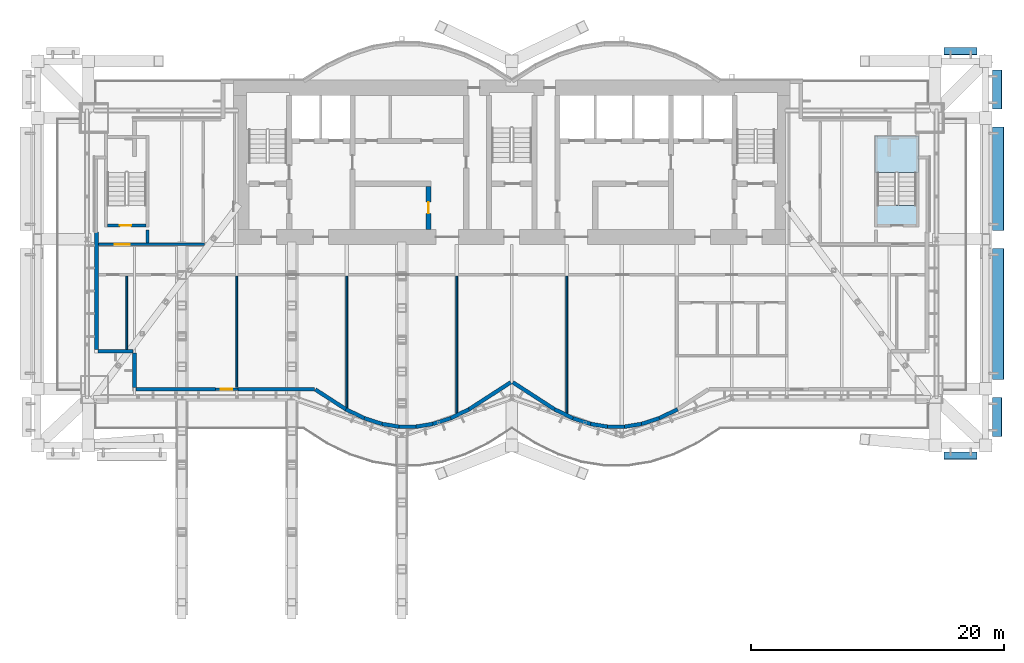
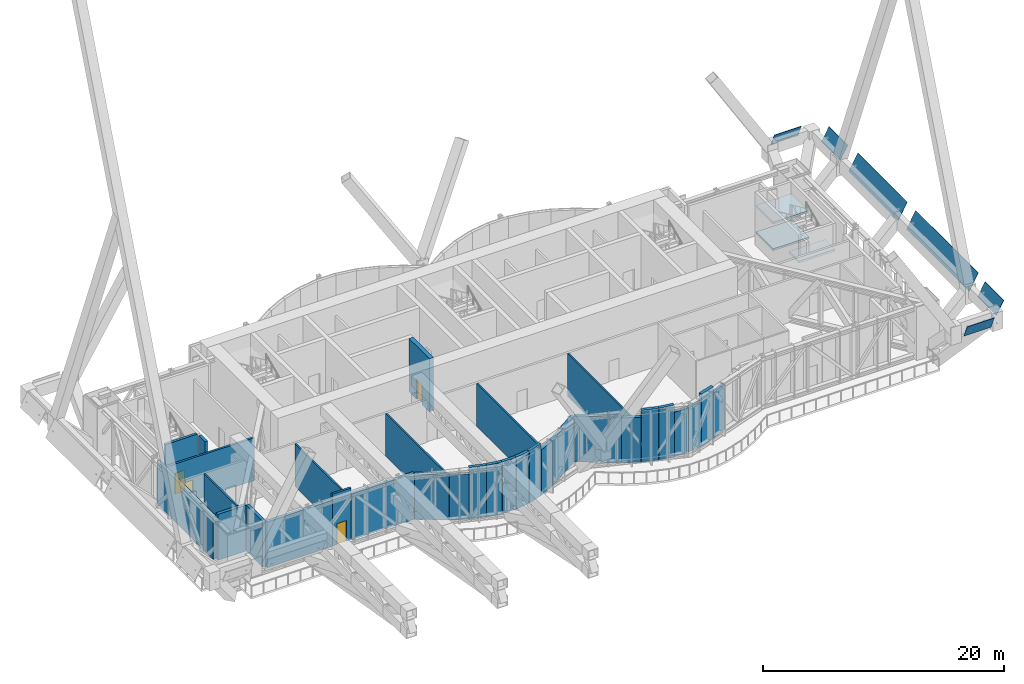
# One storey, part 23 of 30: 32 walls, 6 plates, 4 doors, 3 slabs, 4 openings, 1 element without a shape of its own.
"""IFC4 building model written with IfcOpenShell, lengths in metres."""

from ifc_helpers import new_model, si_unit, direction, frame, frame_2d, origin, place, context, subcontext, project, spatial, polyline, rectangle, outline, extrude, material, layer, layer_set, layer_usage, type_object, element, fill, aggregate, save


model = new_model("IFC4")

# Units and contexts
model_context = context("Model", 3, precision=1e-05, world=origin(), true_north=direction((0.0, 1.0)))
body_context = subcontext(model_context, "Body", "Model", "MODEL_VIEW")
ifc_project = project(units=[si_unit("LENGTHUNIT", "METRE"), si_unit("AREAUNIT", "SQUARE_METRE"), si_unit("VOLUMEUNIT", "CUBIC_METRE"), si_unit("PLANEANGLEUNIT", "RADIAN"), si_unit("MASSUNIT", "GRAM", prefix="KILO")], contexts=[model_context])

# Site, building, storey
site_placement = place(None, origin())
site = spatial("IfcSite", under=ifc_project, at=site_placement, CompositionType="ELEMENT")
building_placement = place(site_placement, origin())
building = spatial("IfcBuilding", under=site, at=building_placement, Name="Bicima Exchange Tower", CompositionType="ELEMENT")
storey_placement = place(building_placement, frame((0.0, 0.0, 287.60009765625)))
storey = spatial("IfcBuildingStorey", under=building, at=storey_placement, Name="L65", CompositionType="ELEMENT", Elevation=287.60009765625)

# Plates
ifc_material_1 = material(Name="Dark tinted spandrel glass", Category="glass")
ifc_layer_1 = layer(ifc_material_1, 0.0400390625)
ifc_layer_set_1 = layer_set([ifc_layer_1], Name="Dark tinted spandrel glass")
plate_type = type_object("IfcPlateType", Name="Belt fascia glass panel 40", PredefinedType="SHEET", material=ifc_layer_set_1)
plate_1_placement = place(storey_placement, frame((34.199951171875, -29.4306640625, 4.0498046875), z_axis=(0.0, 0.919715682457, 0.39258510344), x_axis=(1.0, 0.0, 0.0)))
element("IfcPlate", 1, at=plate_1_placement, inside=storey, type_object=plate_type, Name="Belt fascia glass panel", PredefinedType="SHEET", context=body_context, shape_type="SweptSolid", body=[
    extrude(outline(polyline([(0.0, 0.0), (2.60009765625, 0.0), (2.60009765625, -1.3917663048388182), (0.0, -1.3917663048388182), (0.0, 0.0)])), origin(), (0.0, 0.0, -1.0), 0.0400390625),
])
plate_2_placement = place(storey_placement, frame((38.030029296875, -28.20068359375, 4.0498046875), z_axis=(-0.876685030348, 0.0, 0.481064816386), x_axis=(0.0, 1.0, 0.0)))
element("IfcPlate", 2, at=plate_2_placement, inside=storey, type_object=plate_type, Name="Belt fascia glass panel", PredefinedType="SHEET", context=body_context, shape_type="SweptSolid", body=[
    extrude(outline(polyline([(0.0, 0.0), (3.10009765625, 0.0), (3.10009765625, -1.4600788796032191), (0.0, -1.4600788796032191), (0.0, 0.0)])), origin(), (0.0, 0.0, -1.0), 0.0400390625),
])
plate_3_placement = place(storey_placement, frame((38.030029296875, -23.70068359375, 3.75), z_axis=(-0.876618888201, 0.0, 0.481185333162), x_axis=(0.0, 1.0, 0.0)))
element("IfcPlate", 3, at=plate_3_placement, inside=storey, type_object=plate_type, Name="Belt fascia glass panel", PredefinedType="SHEET", context=body_context, shape_type="SweptSolid", body=[
    extrude(outline(polyline([(0.0, 0.0), (10.400634765625, 0.0), (10.400634765625, -1.8021902170255055), (0.0, -1.8021902170255055), (0.0, 0.0)])), origin(), (0.0, 0.0, -1.0), 0.0400390625),
])
plate_4_placement = place(storey_placement, frame((38.030029296875, -11.89990234375, 3.75), z_axis=(-0.876618888201, 0.0, 0.481185333162), x_axis=(0.0, 1.0, 0.0)))
element("IfcPlate", 4, at=plate_4_placement, inside=storey, type_object=plate_type, Name="Belt fascia glass panel", PredefinedType="SHEET", context=body_context, shape_type="SweptSolid", body=[
    extrude(outline(polyline([(0.0, 0.0), (8.199951171875, 0.0), (8.199951171875, -1.8021902170255055), (0.0, -1.8021902170255055), (0.0, 0.0)])), origin(), (0.0, 0.0, -1.0), 0.0400390625),
])
plate_5_placement = place(storey_placement, frame((38.030029296875, -2.300048828125, 4.0498046875), z_axis=(-0.876685030348, 0.0, 0.481064816386), x_axis=(0.0, 1.0, 0.0)))
element("IfcPlate", 5, at=plate_5_placement, inside=storey, type_object=plate_type, Name="Belt fascia glass panel", PredefinedType="SHEET", context=body_context, shape_type="SweptSolid", body=[
    extrude(outline(polyline([(0.0, 0.0), (3.10009765625, 0.0), (3.10009765625, -1.4600788796032191), (0.0, -1.4600788796032191), (0.0, 0.0)])), origin(), (0.0, 0.0, -1.0), 0.0400390625),
])
plate_6_placement = place(storey_placement, frame((36.800048828125, 2.576416015625, 4.0498046875), z_axis=(0.0, 0.919715682457, 0.39258510344), x_axis=(-1.0, 0.0, 0.0)))
element("IfcPlate", 6, at=plate_6_placement, inside=storey, type_object=plate_type, Name="Belt fascia glass panel", PredefinedType="SHEET", context=body_context, shape_type="SweptSolid", body=[
    extrude(outline(polyline([(0.0, 0.0), (2.60009765625, 0.0), (2.60009765625, 1.3917663048388182), (0.0, 1.3917663048388182), (0.0, 0.0)])), origin(), (0.0, 0.0, -1.0), 0.0400390625),
])

# Stair, slabs
ifc_material_2 = material(Name="Concrete C50/60", Category="concrete")
stair_type = type_object("IfcStairType", Name="Exit stair", PredefinedType="HALF_TURN_STAIR", material=ifc_material_2)
stair_placement = place(storey_placement, origin())
stair = element("IfcStair", 7, at=stair_placement, inside=storey, type_object=stair_type, Name="L65 East end exit stair", PredefinedType="HALF_TURN_STAIR")
ifc_layer_2 = layer(ifc_material_2, 0.199951171875)
ifc_layer_set_2 = layer_set([ifc_layer_2], Name="Concrete C50/60")
slab_type = type_object("IfcSlabType", Name="Stair landing slab", PredefinedType="LANDING", material=ifc_layer_set_2)
slab_1_placement = place(storey_placement, frame((0.0, 0.0, 1.14990234375)))
slab_1 = element("IfcSlab", 8, at=slab_1_placement, type_object=slab_type, Name="ST-EE landing 1", PredefinedType="LANDING", context=body_context, shape_type="SweptSolid", body=[
    extrude(outline(polyline([(32.175048828125, -7.294921875), (32.175048828125, -4.425048828125), (28.72509765625, -4.425048828125), (28.72509765625, -7.294921875), (32.175048828125, -7.294921875)])), origin(), (0.0, 0.0, 1.0), 0.199951171875),
])
slab_2_placement = place(storey_placement, frame((0.0, 0.0, 2.5)))
slab_2 = element("IfcSlab", 9, at=slab_2_placement, type_object=slab_type, Name="ST-EE landing 2", PredefinedType="LANDING", context=body_context, shape_type="SweptSolid", body=[
    extrude(outline(polyline([(32.175048828125, -11.574951171875), (32.175048828125, -9.925048828125), (28.72509765625, -9.925048828125), (28.72509765625, -11.574951171875), (32.175048828125, -11.574951171875)])), origin(), (0.0, 0.0, 1.0), 0.199951171875),
])
slab_3_placement = place(storey_placement, frame((0.0, 0.0, 3.849853515625)))
slab_3 = element("IfcSlab", 10, at=slab_3_placement, type_object=slab_type, Name="ST-EE landing 3", PredefinedType="LANDING", context=body_context, shape_type="SweptSolid", body=[
    extrude(outline(polyline([(32.175048828125, -7.294921875), (32.175048828125, -4.425048828125), (28.72509765625, -4.425048828125), (28.72509765625, -7.294921875), (32.175048828125, -7.294921875)])), origin(), (0.0, 0.0, 1.0), 0.199951171875),
])
aggregate(stair, [slab_1, slab_2, slab_3])

# Wall, opening, door
ifc_material_3 = material(Name="Concrete C40/50", Category="concrete")
ifc_layer_3 = layer(ifc_material_3, 0.2)
ifc_layer_set_3 = layer_set([ifc_layer_3], Name="Concrete C40/50")
ifc_layer_usage_1 = layer_usage(ifc_layer_set_3, "AXIS2", "POSITIVE", -0.1)
wall_type_1 = type_object("IfcWallType", Name="Entrance frame wall 200", PredefinedType="STANDARD", material=ifc_layer_set_3)
wall_1_placement = place(storey_placement, frame((-21.64990234375, -24.4541015625, 0.0), z_axis=(0.0, 0.0, 1.0), x_axis=(-1.0, 0.0, 0.0)))
wall_1 = element("IfcWall", 11, at=wall_1_placement, inside=storey, type_object=wall_type_1, material=ifc_layer_usage_1, Name="Band door frame wall L65", PredefinedType="STANDARD", context=body_context, shape_type="SweptSolid", body=[
    extrude(rectangle(XDim=1.800048828125, YDim=0.199951171875, at=frame_2d((0.89990234375, 0.0))), origin(), (0.0, 0.0, 1.0), 5.25),
])
opening_1_placement = place(wall_1_placement, frame((0.449951171875, 0.0, 0.0)))
opening_1 = element("IfcOpeningElement", 12, at=opening_1_placement, cuts=wall_1, Name="Opening DX5", PredefinedType="OPENING", context=body_context, shape_type="SweptSolid", body=[
    extrude(rectangle(XDim=0.89990234375, YDim=2.10009765625, at=frame_2d((0.449951171875, 1.050048828125))), frame((0.0, 0.11181640625, 0.0), z_axis=(0.0, -1.0, 0.0), x_axis=(1.0, 0.0, 0.0)), (0.0, 0.0, 1.0), 0.223876953125),
])
ifc_material_4 = material(Name="Anodised bronze aluminium and bonded safety glass", Category="aluminium")
door_type_1 = type_object("IfcDoorType", Name="Band terrace door, single leaf 900 x 2100", OperationType="SINGLE_SWING_LEFT", PredefinedType="DOOR", material=ifc_material_4)
door_1_placement = place(opening_1_placement, origin())
door_1 = element("IfcDoor", 13, at=door_1_placement, inside=storey, type_object=door_type_1, Name="Band door door L65", OperationType="SINGLE_SWING_LEFT", OverallHeight=2.10009765625, OverallWidth=0.89990234375, PredefinedType="DOOR", context=body_context, shape_type="SweptSolid", body=[
    extrude(rectangle(XDim=0.89990234375, YDim=2.10009765625, at=frame_2d((0.449951171875, 1.050048828125))), frame((0.0, 0.02490234375, 0.0), z_axis=(0.0, -1.0, 0.0), x_axis=(1.0, 0.0, 0.0)), (0.0, 0.0, 1.0), 0.050048828125),
])
fill(opening_1, door_1)

ifc_material_5 = material(Name="Gypsum board partition")
ifc_layer_4 = layer(ifc_material_5, 0.199951171875)
ifc_layer_set_4 = layer_set([ifc_layer_4], Name="Gypsum board partition")
wall_type_2 = type_object("IfcWallType", Name="Fire-rated gypsum partition 200 EI60", PredefinedType="PARTITIONING", material=ifc_layer_set_4)
wall_2_placement = place(storey_placement, frame((-32.699951171875, -13.0, 0.0), z_axis=(0.0, 0.0, 1.0), x_axis=(1.0, 0.0, 0.0)))
wall_2 = element("IfcWall", 14, at=wall_2_placement, inside=storey, type_object=wall_type_2, Name="partition wall 6", PredefinedType="PARTITIONING", context=body_context, shape_type="SweptSolid", body=[
    extrude(rectangle(XDim=8.39990234375, YDim=0.199951171875, at=frame_2d((4.199951171875, 0.0))), origin(), (0.0, 0.0, 1.0), 4.318115234375),
])
opening_2_placement = place(wall_2_placement, frame((1.300048828125, 0.0, 0.0)))
opening_2 = element("IfcOpeningElement", 15, at=opening_2_placement, cuts=wall_2, Name="Opening L65-001", PredefinedType="OPENING", context=body_context, shape_type="SweptSolid", body=[
    extrude(rectangle(XDim=1.199951171875, YDim=2.10009765625, at=frame_2d((0.60009765625, 1.050048828125))), frame((0.0, 0.11181640625, 0.0), z_axis=(0.0, -1.0, 0.0), x_axis=(1.0, 0.0, 0.0)), (0.0, 0.0, 1.0), 0.223876953125),
])
ifc_material_6 = material(Name="Steel fire door leaf", Category="steel")
door_type_2 = type_object("IfcDoorType", Name="Door 1200 swing FD30S", OperationType="SINGLE_SWING_LEFT", PredefinedType="DOOR", material=ifc_material_6)
door_2_placement = place(opening_2_placement, origin())
door_2 = element("IfcDoor", 16, at=door_2_placement, inside=storey, type_object=door_type_2, Name="Door", OperationType="SINGLE_SWING_LEFT", OverallHeight=2.10009765625, OverallWidth=1.199951171875, PredefinedType="DOOR", context=body_context, shape_type="SweptSolid", body=[
    extrude(rectangle(XDim=1.199951171875, YDim=2.10009765625, at=frame_2d((0.60009765625, 1.050048828125))), frame((0.0, 0.02490234375, 0.0), z_axis=(0.0, -1.0, 0.0), x_axis=(1.0, 0.0, 0.0)), (0.0, 0.0, 1.0), 0.050048828125),
])
fill(opening_2, door_2)

# Walls
ifc_layer_5 = layer(ifc_material_5, 0.14990234375)
ifc_layer_set_5 = layer_set([ifc_layer_5], Name="Gypsum board partition")
wall_type_3 = type_object("IfcWallType", Name="Gypsum partition 150", PredefinedType="PARTITIONING", material=ifc_layer_set_5)
wall_3_placement = place(storey_placement, frame((-30.449951171875, -21.300048828125, 0.0), z_axis=(0.0, 0.0, 1.0), x_axis=(0.0, 1.0, 0.0)))
element("IfcWall", 17, at=wall_3_placement, inside=storey, type_object=wall_type_3, Name="partition wall 13", PredefinedType="PARTITIONING", context=body_context, shape_type="SweptSolid", body=[
    extrude(rectangle(XDim=5.800048828125, YDim=0.14990234375, at=frame_2d((2.89990234375, 0.0))), origin(), (0.0, 0.0, 1.0), 4.318115234375),
])
wall_4_placement = place(storey_placement, frame((-21.75, -24.300048828125, 0.0), z_axis=(0.0, 0.0, 1.0), x_axis=(0.0, 1.0, 0.0)))
element("IfcWall", 18, at=wall_4_placement, inside=storey, type_object=wall_type_3, Name="partition wall 16", PredefinedType="PARTITIONING", context=body_context, shape_type="SweptSolid", body=[
    extrude(rectangle(XDim=8.800048828125, YDim=0.14990234375, at=frame_2d((4.39990234375, 0.0))), origin(), (0.0, 0.0, 1.0), 4.318115234375),
])
wall_5_placement = place(storey_placement, frame((-13.050048828125, -25.89990234375, 0.0), z_axis=(0.0, 0.0, 1.0), x_axis=(0.0, 1.0, 0.0)))
element("IfcWall", 19, at=wall_5_placement, inside=storey, type_object=wall_type_3, Name="partition wall 17", PredefinedType="PARTITIONING", context=body_context, shape_type="SweptSolid", body=[
    extrude(rectangle(XDim=10.39990234375, YDim=0.14990234375, at=frame_2d((5.199951171875, 0.0))), origin(), (0.0, 0.0, 1.0), 4.318115234375),
])
for number, where, z_axis, x_axis, name in (
    (20, (-4.35009765625, -26.340087890625, 0.0), (0.0, 0.0, 1.0), (0.0, 1.0, 0.0), "partition wall 18"),
    (21, (4.35009765625, -26.340087890625, 0.0), (0.0, 0.0, 1.0), (0.0, 1.0, 0.0), "partition wall 19"),
):
    element("IfcWall", number, at=place(storey_placement, frame(where, z_axis=z_axis, x_axis=x_axis)), inside=storey, type_object=wall_type_3, Name=name, PredefinedType="PARTITIONING", context=body_context, shape_type="SweptSolid", body=[
        extrude(rectangle(XDim=10.840087890625, YDim=0.14990234375, at=frame_2d((5.419921875, 0.0))), origin(), (0.0, 0.0, 1.0), 4.318115234375),
    ])
ifc_layer_6 = layer(ifc_material_2, 0.25)
ifc_layer_set_6 = layer_set([ifc_layer_6], Name="Concrete C50/60")
wall_type_4 = type_object("IfcWallType", Name="RC core wall 250 C50/60", PredefinedType="SHEAR", material=ifc_layer_set_6)
wall_6_placement = place(storey_placement, frame((-28.800048828125, -12.89990234375, 0.0), z_axis=(0.0, 0.0, 1.0), x_axis=(0.0, 1.0, 0.0)))
element("IfcWall", 22, at=wall_6_placement, inside=storey, type_object=wall_type_4, Name="stair wall 14", PredefinedType="SHEAR", context=body_context, shape_type="SweptSolid", body=[
    extrude(rectangle(XDim=1.0498046875, YDim=0.25, at=frame_2d((0.52490234375, 0.0))), origin(), (0.0, 0.0, 1.0), 5.39990234375),
])

# Wall, opening, door
ifc_layer_7 = layer(ifc_material_3, 0.39990234375)
ifc_layer_set_7 = layer_set([ifc_layer_7], Name="Concrete C40/50")
wall_type_5 = type_object("IfcWallType", Name="RC core wall 400 C40/50", PredefinedType="SHEAR", material=ifc_layer_set_7)
wall_7_placement = place(storey_placement, frame((-6.60009765625, -11.800048828125, 0.0), z_axis=(0.0, 0.0, 1.0), x_axis=(0.0, 1.0, 0.0)))
wall_7 = element("IfcWall", 23, at=wall_7_placement, inside=storey, type_object=wall_type_5, Name="shear wall 12", PredefinedType="SHEAR", context=body_context, shape_type="SweptSolid", body=[
    extrude(rectangle(XDim=3.400146484375, YDim=0.39990234375, at=frame_2d((1.7001953125, 0.0))), origin(), (0.0, 0.0, 1.0), 5.39990234375),
])
opening_3_placement = place(wall_7_placement, frame((1.25, 0.0, 0.0)))
opening_3 = element("IfcOpeningElement", 24, at=opening_3_placement, cuts=wall_7, Name="Opening L65-C14", PredefinedType="OPENING", context=body_context, shape_type="SweptSolid", body=[
    extrude(rectangle(XDim=0.89990234375, YDim=2.10009765625, at=frame_2d((0.449951171875, 1.050048828125))), frame((0.0, 0.2119140625, 0.0), z_axis=(0.0, -1.0, 0.0), x_axis=(1.0, 0.0, 0.0)), (0.0, 0.0, 1.0), 0.423828125),
])
door_type_3 = type_object("IfcDoorType", Name="Door 900 swing FD30S", OperationType="SINGLE_SWING_LEFT", PredefinedType="DOOR", material=ifc_material_6)
door_3_placement = place(opening_3_placement, origin())
door_3 = element("IfcDoor", 25, at=door_3_placement, inside=storey, type_object=door_type_3, Name="Core door", OperationType="SINGLE_SWING_RIGHT", OverallHeight=2.10009765625, OverallWidth=0.89990234375, PredefinedType="DOOR", context=body_context, shape_type="SweptSolid", body=[
    extrude(rectangle(XDim=0.89990234375, YDim=2.10009765625, at=frame_2d((0.449951171875, 1.050048828125))), frame((0.0, 0.02490234375, 0.0), z_axis=(0.0, -1.0, 0.0), x_axis=(1.0, 0.0, 0.0)), (0.0, 0.0, 1.0), 0.050048828125),
])
fill(opening_3, door_3)

ifc_layer_8 = layer(ifc_material_2, 0.25)
ifc_layer_set_8 = layer_set([ifc_layer_8], Name="Concrete C50/60")
wall_type_6 = type_object("IfcWallType", Name="RC stair enclosure wall 250 C50/60", PredefinedType="SHEAR", material=ifc_layer_set_8)
wall_8_placement = place(storey_placement, frame((-31.97509765625, -11.5, 0.0), z_axis=(0.0, 0.0, 1.0), x_axis=(1.0, 0.0, 0.0)))
wall_8 = element("IfcWall", 26, at=wall_8_placement, inside=storey, type_object=wall_type_6, Name="West end exit stair wall S", PredefinedType="SHEAR", context=body_context, shape_type="SweptSolid", body=[
    extrude(rectangle(XDim=3.050048828125, YDim=0.25, at=frame_2d((1.52490234375, 0.0))), origin(), (0.0, 0.0, 1.0), 5.39990234375),
])
opening_4_placement = place(wall_8_placement, frame((0.97509765625, 0.0, 0.0)))
opening_4 = element("IfcOpeningElement", 27, at=opening_4_placement, cuts=wall_8, Name="Opening L65-002", PredefinedType="OPENING", context=body_context, shape_type="SweptSolid", body=[
    extrude(rectangle(XDim=0.89990234375, YDim=2.10009765625, at=frame_2d((0.449951171875, 1.050048828125))), frame((0.0, 0.136962890625, 0.0), z_axis=(0.0, -1.0, 0.0), x_axis=(1.0, 0.0, 0.0)), (0.0, 0.0, 1.0), 0.27392578125),
])
door_type_4 = type_object("IfcDoorType", Name="Door 900 swing FD60S", OperationType="SINGLE_SWING_LEFT", PredefinedType="DOOR", material=ifc_material_6)
door_4_placement = place(opening_4_placement, origin())
door_4 = element("IfcDoor", 28, at=door_4_placement, inside=storey, type_object=door_type_4, Name="Door", OperationType="SINGLE_SWING_LEFT", OverallHeight=2.10009765625, OverallWidth=0.89990234375, PredefinedType="DOOR", context=body_context, shape_type="SweptSolid", body=[
    extrude(rectangle(XDim=0.89990234375, YDim=2.10009765625, at=frame_2d((0.449951171875, 1.050048828125))), frame((0.0, 0.02490234375, 0.0), z_axis=(0.0, -1.0, 0.0), x_axis=(1.0, 0.0, 0.0)), (0.0, 0.0, 1.0), 0.050048828125),
])
fill(opening_4, door_4)

# Walls
ifc_layer_9 = layer(ifc_material_3, 0.3)
ifc_layer_set_9 = layer_set([ifc_layer_9], Name="Concrete C40/50")
ifc_layer_usage_2 = layer_usage(ifc_layer_set_9, "AXIS2", "POSITIVE", -0.15)
wall_type_7 = type_object("IfcWallType", Name="Refuge band wall 300", PredefinedType="STANDARD", material=ifc_layer_set_9)
wall_9_placement = place(storey_placement, frame((-32.85009765625, -12.0, 0.0), z_axis=(0.0, 0.0, 1.0), x_axis=(0.0, -1.0, 0.0)))
element("IfcWall", 29, at=wall_9_placement, inside=storey, type_object=wall_type_7, material=ifc_layer_usage_2, Name="Refuge band wall L65", PredefinedType="STANDARD", context=body_context, shape_type="SweptSolid", body=[
    extrude(rectangle(XDim=9.328125, YDim=0.300048828125, at=frame_2d((4.6640625, 0.0))), origin(), (0.0, 0.0, 1.0), 4.338134765625),
])
for number, where, z_axis, x_axis, name in (
    (30, (-32.72412109375, -21.4541015625, 0.0), (0.0, 0.0, 1.0), (1.0, 0.0, 0.0), "Refuge band wall L65"),
    (31, (-29.85009765625, -21.579833984375, 0.0), (0.0, 0.0, 1.0), (0.0, -1.0, 0.0), "Refuge band wall L65"),
):
    element("IfcWall", number, at=place(storey_placement, frame(where, z_axis=z_axis, x_axis=x_axis)), inside=storey, type_object=wall_type_7, material=ifc_layer_usage_2, Name=name, PredefinedType="STANDARD", context=body_context, shape_type="SweptSolid", body=[
        extrude(rectangle(XDim=2.748291015625, YDim=0.300048828125, at=frame_2d((1.3740234375, 0.0))), origin(), (0.0, 0.0, 1.0), 4.650390625),
    ])
wall_10_placement = place(storey_placement, frame((-29.72412109375, -24.4541015625, 0.0), z_axis=(0.0, 0.0, 1.0), x_axis=(1.0, 0.0, 0.0)))
element("IfcWall", 32, at=wall_10_placement, inside=storey, type_object=wall_type_7, material=ifc_layer_usage_2, Name="Refuge band wall L65", PredefinedType="STANDARD", context=body_context, shape_type="SweptSolid", body=[
    extrude(rectangle(XDim=6.274169921875, YDim=0.300048828125, at=frame_2d((3.13720703125, 0.0))), origin(), (0.0, 0.0, 1.0), 4.650390625),
])
wall_11_placement = place(storey_placement, frame((-21.64990234375, -24.4541015625, 0.0), z_axis=(0.0, 0.0, 1.0), x_axis=(1.0, 0.0, 0.0)))
element("IfcWall", 33, at=wall_11_placement, inside=storey, type_object=wall_type_7, material=ifc_layer_usage_2, Name="Refuge band wall L65", PredefinedType="STANDARD", context=body_context, shape_type="SweptSolid", body=[
    extrude(rectangle(XDim=6.03515625, YDim=0.300048828125, at=frame_2d((3.017578125, 0.0))), origin(), (0.0, 0.0, 1.0), 4.650390625),
])
wall_12_placement = place(storey_placement, frame((-15.533203125, -24.47802734375, 0.0), z_axis=(0.0, 0.0, 1.0), x_axis=(0.839779682339, -0.542927329512, 0.0)))
element("IfcWall", 34, at=wall_12_placement, inside=storey, type_object=wall_type_7, material=ifc_layer_usage_2, Name="Refuge band wall L65", PredefinedType="STANDARD", context=body_context, shape_type="SweptSolid", body=[
    extrude(rectangle(XDim=2.875244140625, YDim=0.300048828125, at=frame_2d((1.4375, 0.0))), origin(), (0.0, 0.0, 1.0), 4.57177734375),
])
wall_13_placement = place(storey_placement, frame((-13.11865234375, -26.0390625, 0.0), z_axis=(0.0, 0.0, 1.0), x_axis=(0.899798026589, -0.436306671214, 0.0)))
element("IfcWall", 35, at=wall_13_placement, inside=storey, type_object=wall_type_7, material=ifc_layer_usage_2, Name="Refuge band wall L65", PredefinedType="STANDARD", context=body_context, shape_type="SweptSolid", body=[
    extrude(rectangle(XDim=1.62548828125, YDim=0.300048828125, at=frame_2d((0.812744140625, 0.0))), origin(), (0.0, 0.0, 1.0), 4.57177734375),
])
wall_14_placement = place(storey_placement, frame((-11.656005859375, -26.748291015625, 0.0), z_axis=(0.0, 0.0, 1.0), x_axis=(0.951539081691, -0.307527845919, 0.0)))
element("IfcWall", 36, at=wall_14_placement, inside=storey, type_object=wall_type_7, material=ifc_layer_usage_2, Name="Refuge band wall L65", PredefinedType="STANDARD", context=body_context, shape_type="SweptSolid", body=[
    extrude(rectangle(XDim=1.467041015625, YDim=0.300048828125, at=frame_2d((0.7333984375, 0.0))), origin(), (0.0, 0.0, 1.0), 5.25),
])
wall_15_placement = place(storey_placement, frame((-10.260009765625, -27.199462890625, 0.0), z_axis=(0.0, 0.0, 1.0), x_axis=(0.987194777017, -0.15951950423, 0.0)))
element("IfcWall", 37, at=wall_15_placement, inside=storey, type_object=wall_type_7, material=ifc_layer_usage_2, Name="Refuge band wall L65", PredefinedType="STANDARD", context=body_context, shape_type="SweptSolid", body=[
    extrude(rectangle(XDim=1.36376953125, YDim=0.300048828125, at=frame_2d((0.681884765625, 0.0))), origin(), (0.0, 0.0, 1.0), 5.25),
])
wall_16_placement = place(storey_placement, frame((-8.913818359375, -27.4169921875, 0.0), z_axis=(0.0, 0.0, 1.0), x_axis=(1.0, 0.0, 0.0)))
element("IfcWall", 38, at=wall_16_placement, inside=storey, type_object=wall_type_7, material=ifc_layer_usage_2, Name="Refuge band wall L65", PredefinedType="STANDARD", context=body_context, shape_type="SweptSolid", body=[
    extrude(rectangle(XDim=1.32763671875, YDim=0.300048828125, at=frame_2d((0.663818359375, 0.0))), origin(), (0.0, 0.0, 1.0), 5.25),
])
wall_17_placement = place(storey_placement, frame((-7.586181640625, -27.4169921875, 0.0), z_axis=(0.0, 0.0, 1.0), x_axis=(0.987194777017, 0.15951950423, 0.0)))
element("IfcWall", 39, at=wall_17_placement, inside=storey, type_object=wall_type_7, material=ifc_layer_usage_2, Name="Refuge band wall L65", PredefinedType="STANDARD", context=body_context, shape_type="SweptSolid", body=[
    extrude(rectangle(XDim=1.36376953125, YDim=0.300048828125, at=frame_2d((0.681884765625, 0.0))), origin(), (0.0, 0.0, 1.0), 5.25),
])
wall_18_placement = place(storey_placement, frame((-6.239990234375, -27.199462890625, 0.0), z_axis=(0.0, 0.0, 1.0), x_axis=(0.951539081691, 0.307527845919, 0.0)))
element("IfcWall", 40, at=wall_18_placement, inside=storey, type_object=wall_type_7, material=ifc_layer_usage_2, Name="Refuge band wall L65", PredefinedType="STANDARD", context=body_context, shape_type="SweptSolid", body=[
    extrude(rectangle(XDim=1.467041015625, YDim=0.300048828125, at=frame_2d((0.7333984375, 0.0))), origin(), (0.0, 0.0, 1.0), 5.25),
])
wall_19_placement = place(storey_placement, frame((-4.843994140625, -26.748291015625, 0.0), z_axis=(0.0, 0.0, 1.0), x_axis=(0.899798026589, 0.436306671214, 0.0)))
element("IfcWall", 41, at=wall_19_placement, inside=storey, type_object=wall_type_7, material=ifc_layer_usage_2, Name="Refuge band wall L65", PredefinedType="STANDARD", context=body_context, shape_type="SweptSolid", body=[
    extrude(rectangle(XDim=1.62548828125, YDim=0.300048828125, at=frame_2d((0.812744140625, 0.0))), origin(), (0.0, 0.0, 1.0), 4.57177734375),
])
for number, where, z_axis, x_axis, name in (
    (42, (-3.38134765625, -26.0390625, 0.0), (0.0, 0.0, 1.0), (0.839805110115, 0.542887996759, 0.0), "Refuge band wall L65"),
    (43, (0.081298828125, -23.90576171875, 0.0), (0.0, 0.0, 1.0), (0.839805110115, -0.542887996759, 0.0), "Refuge band wall L65"),
):
    element("IfcWall", number, at=place(storey_placement, frame(where, z_axis=z_axis, x_axis=x_axis)), inside=storey, type_object=wall_type_7, material=ifc_layer_usage_2, Name=name, PredefinedType="STANDARD", context=body_context, shape_type="SweptSolid", body=[
        extrude(rectangle(XDim=3.929443359375, YDim=0.300048828125, at=frame_2d((1.96484375, 0.0))), origin(), (0.0, 0.0, 1.0), 4.650390625),
    ])
wall_20_placement = place(storey_placement, frame((3.38134765625, -26.0390625, 0.0), z_axis=(0.0, 0.0, 1.0), x_axis=(0.899798026589, -0.436306671214, 0.0)))
element("IfcWall", 44, at=wall_20_placement, inside=storey, type_object=wall_type_7, material=ifc_layer_usage_2, Name="Refuge band wall L65", PredefinedType="STANDARD", context=body_context, shape_type="SweptSolid", body=[
    extrude(rectangle(XDim=1.62548828125, YDim=0.300048828125, at=frame_2d((0.812744140625, 0.0))), origin(), (0.0, 0.0, 1.0), 4.57177734375),
])
wall_21_placement = place(storey_placement, frame((4.843994140625, -26.748291015625, 0.0), z_axis=(0.0, 0.0, 1.0), x_axis=(0.951539081691, -0.307527845919, 0.0)))
element("IfcWall", 45, at=wall_21_placement, inside=storey, type_object=wall_type_7, material=ifc_layer_usage_2, Name="Refuge band wall L65", PredefinedType="STANDARD", context=body_context, shape_type="SweptSolid", body=[
    extrude(rectangle(XDim=1.467041015625, YDim=0.300048828125, at=frame_2d((0.7333984375, 0.0))), origin(), (0.0, 0.0, 1.0), 5.25),
])
wall_22_placement = place(storey_placement, frame((6.239990234375, -27.199462890625, 0.0), z_axis=(0.0, 0.0, 1.0), x_axis=(0.987194777017, -0.15951950423, 0.0)))
element("IfcWall", 46, at=wall_22_placement, inside=storey, type_object=wall_type_7, material=ifc_layer_usage_2, Name="Refuge band wall L65", PredefinedType="STANDARD", context=body_context, shape_type="SweptSolid", body=[
    extrude(rectangle(XDim=1.36376953125, YDim=0.300048828125, at=frame_2d((0.681884765625, 0.0))), origin(), (0.0, 0.0, 1.0), 5.25),
])
wall_23_placement = place(storey_placement, frame((7.586181640625, -27.4169921875, 0.0), z_axis=(0.0, 0.0, 1.0), x_axis=(1.0, 0.0, 0.0)))
element("IfcWall", 47, at=wall_23_placement, inside=storey, type_object=wall_type_7, material=ifc_layer_usage_2, Name="Refuge band wall L65", PredefinedType="STANDARD", context=body_context, shape_type="SweptSolid", body=[
    extrude(rectangle(XDim=1.32763671875, YDim=0.300048828125, at=frame_2d((0.663818359375, 0.0))), origin(), (0.0, 0.0, 1.0), 4.49560546875),
])
wall_24_placement = place(storey_placement, frame((8.913818359375, -27.4169921875, 0.0), z_axis=(0.0, 0.0, 1.0), x_axis=(0.987194777017, 0.15951950423, 0.0)))
element("IfcWall", 48, at=wall_24_placement, inside=storey, type_object=wall_type_7, material=ifc_layer_usage_2, Name="Refuge band wall L65", PredefinedType="STANDARD", context=body_context, shape_type="SweptSolid", body=[
    extrude(rectangle(XDim=1.36376953125, YDim=0.300048828125, at=frame_2d((0.681884765625, 0.0))), origin(), (0.0, 0.0, 1.0), 4.49560546875),
])
wall_25_placement = place(storey_placement, frame((10.260009765625, -27.199462890625, 0.0), z_axis=(0.0, 0.0, 1.0), x_axis=(0.951539081691, 0.307527845919, 0.0)))
element("IfcWall", 49, at=wall_25_placement, inside=storey, type_object=wall_type_7, material=ifc_layer_usage_2, Name="Refuge band wall L65", PredefinedType="STANDARD", context=body_context, shape_type="SweptSolid", body=[
    extrude(rectangle(XDim=1.467041015625, YDim=0.300048828125, at=frame_2d((0.7333984375, 0.0))), origin(), (0.0, 0.0, 1.0), 5.25),
])
wall_26_placement = place(storey_placement, frame((11.656005859375, -26.748291015625, 0.0), z_axis=(0.0, 0.0, 1.0), x_axis=(0.899798026589, 0.436306671214, 0.0)))
element("IfcWall", 50, at=wall_26_placement, inside=storey, type_object=wall_type_7, material=ifc_layer_usage_2, Name="Refuge band wall L65", PredefinedType="STANDARD", context=body_context, shape_type="SweptSolid", body=[
    extrude(rectangle(XDim=1.62548828125, YDim=0.300048828125, at=frame_2d((0.812744140625, 0.0))), origin(), (0.0, 0.0, 1.0), 4.57177734375),
])

save(model, "model.ifc")
